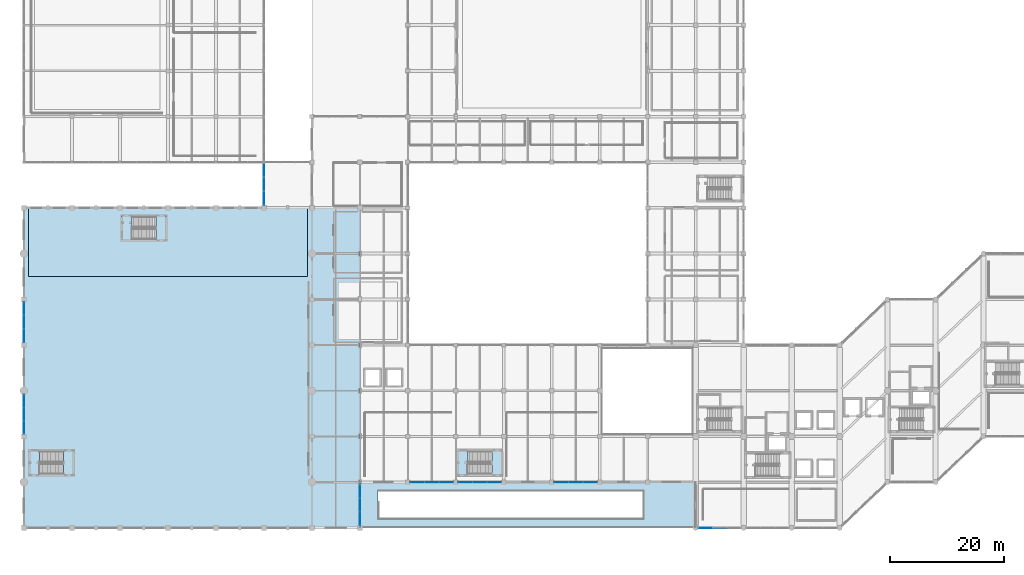
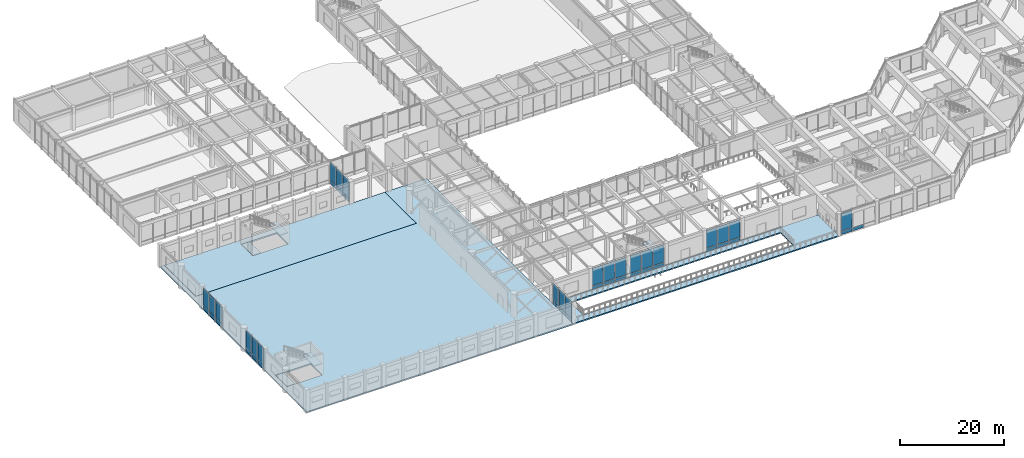
# One storey, part 48 of 79: 45 plates, 9 slabs, 11 elements without a shape of their own.
"""IFC4 building model written with IfcOpenShell, lengths in metres."""

from ifc_helpers import new_model, si_unit, direction, frame, origin, origin_2d, place, context, subcontext, project, spatial, polyline, rectangle, outline, extrude, material, layer, layer_set, type_object, element, aggregate, save


model = new_model("IFC4")

# Units and contexts
model_context = context("Model", 3, precision=1e-05, world=origin(), true_north=direction((0.0, 1.0)))
body_context = subcontext(model_context, "Body", "Model", "MODEL_VIEW")
ifc_project = project(units=[si_unit("LENGTHUNIT", "METRE"), si_unit("AREAUNIT", "SQUARE_METRE"), si_unit("VOLUMEUNIT", "CUBIC_METRE"), si_unit("PLANEANGLEUNIT", "RADIAN"), si_unit("MASSUNIT", "GRAM", prefix="KILO")], contexts=[model_context])

# Site, building, storey
site_placement = place(None, origin())
site = spatial("IfcSite", under=ifc_project, at=site_placement, CompositionType="ELEMENT")
building_placement = place(site_placement, origin())
building = spatial("IfcBuilding", under=site, at=building_placement, Name="Naruveol Harbour Congress Hotel", CompositionType="ELEMENT")
storey_placement = place(building_placement, frame((0.0, 0.0, 6.0)))
storey = spatial("IfcBuildingStorey", under=building, at=storey_placement, Name="L01", CompositionType="ELEMENT", Elevation=6.0)

# Curtain wall, plates
ifc_material_1 = material(Name="Low-E Curtain Wall System", Category="glass")
ifc_layer_1 = layer(ifc_material_1, 0.179931640625)
ifc_layer_set_1 = layer_set([ifc_layer_1], Name="Low-E Curtain Wall System")
curtain_wall_type_1 = type_object("IfcCurtainWallType", Name="UNITISED CURTAIN WALL CW-V1W-01 6850X5050", PredefinedType="USERDEFINED", material=ifc_layer_set_1)
curtain_wall_1_placement = place(storey_placement, origin())
curtain_wall_1 = element("IfcCurtainWall", 1, at=curtain_wall_1_placement, inside=storey, type_object=curtain_wall_type_1, Name="Unitised curtain wall CW-V1W-01 L01", ObjectType="UNITISED GLAZING", PredefinedType="USERDEFINED")
ifc_material_2 = material(Name="Anodised Aluminium Spandrel", Category="aluminium")
ifc_layer_2 = layer(ifc_material_2, 0.054931640625)
ifc_layer_set_2 = layer_set([ifc_layer_2], Name="Anodised Aluminium Spandrel")
plate_type_1 = type_object("IfcPlateType", Name="INSULATED CERAMIC SPANDREL PANEL 55", PredefinedType="CURTAIN_PANEL", material=ifc_layer_set_2)
plate_1_placement = place(storey_placement, frame((-0.010009765625, 17.591796875, 0.0400390625), z_axis=(0.0, 0.0, 1.0), x_axis=(0.0, 1.0, 0.0)))
plate_1 = element("IfcPlate", 2, at=plate_1_placement, type_object=plate_type_1, Name="Curtain wall spandrel panel CW-L01-0001-PS0", PredefinedType="CURTAIN_PANEL", context=body_context, shape_type="SweptSolid", body=[
    extrude(rectangle(XDim=2.202880859375, YDim=0.054931640625, at=origin_2d()), origin(), (0.0, 0.0, 1.0), 0.77001953125),
])
plate_2_placement = place(storey_placement, frame((-0.010009765625, 19.875, 0.0400390625), z_axis=(0.0, 0.0, 1.0), x_axis=(0.0, 1.0, 0.0)))
plate_2 = element("IfcPlate", 3, at=plate_2_placement, type_object=plate_type_1, Name="Curtain wall spandrel panel CW-L01-0001-PS1", PredefinedType="CURTAIN_PANEL", context=body_context, shape_type="SweptSolid", body=[
    extrude(rectangle(XDim=2.202880859375, YDim=0.054931640625, at=origin_2d()), origin(), (0.0, 0.0, 1.0), 0.77001953125),
])
plate_3_placement = place(storey_placement, frame((-0.010009765625, 22.158203125, 0.0400390625), z_axis=(0.0, 0.0, 1.0), x_axis=(0.0, 1.0, 0.0)))
plate_3 = element("IfcPlate", 4, at=plate_3_placement, type_object=plate_type_1, Name="Curtain wall spandrel panel CW-L01-0001-PS2", PredefinedType="CURTAIN_PANEL", context=body_context, shape_type="SweptSolid", body=[
    extrude(rectangle(XDim=2.202880859375, YDim=0.054931640625, at=origin_2d()), origin(), (0.0, 0.0, 1.0), 0.77001953125),
])

ifc_material_3 = material(Name="Low-E Curtain Wall System", Category="glass")
ifc_layer_3 = layer(ifc_material_3, 0.179931640625)
ifc_layer_set_3 = layer_set([ifc_layer_3], Name="Low-E Curtain Wall System")
curtain_wall_type_2 = type_object("IfcCurtainWallType", Name="UNITISED CURTAIN WALL CW-V1W-02 7100X5050", PredefinedType="USERDEFINED", material=ifc_layer_set_3)
curtain_wall_2_placement = place(storey_placement, origin())
curtain_wall_2 = element("IfcCurtainWall", 5, at=curtain_wall_2_placement, inside=storey, type_object=curtain_wall_type_2, Name="Unitised curtain wall CW-V1W-02 L01", ObjectType="UNITISED GLAZING", PredefinedType="USERDEFINED")
plate_4_placement = place(storey_placement, frame((-0.010009765625, 33.63330078125, 0.0400390625), z_axis=(0.0, 0.0, 1.0), x_axis=(0.0, 1.0, 0.0)))
plate_4 = element("IfcPlate", 6, at=plate_4_placement, type_object=plate_type_1, Name="Curtain wall spandrel panel CW-L01-0002-PS0", PredefinedType="CURTAIN_PANEL", context=body_context, shape_type="SweptSolid", body=[
    extrude(rectangle(XDim=2.287109375, YDim=0.054931640625, at=origin_2d()), origin(), (0.0, 0.0, 1.0), 0.77001953125),
])
plate_5_placement = place(storey_placement, frame((-0.010009765625, 36.0, 0.0400390625), z_axis=(0.0, 0.0, 1.0), x_axis=(0.0, 1.0, 0.0)))
plate_5 = element("IfcPlate", 7, at=plate_5_placement, type_object=plate_type_1, Name="Curtain wall spandrel panel CW-L01-0002-PS1", PredefinedType="CURTAIN_PANEL", context=body_context, shape_type="SweptSolid", body=[
    extrude(rectangle(XDim=2.287109375, YDim=0.054931640625, at=origin_2d()), origin(), (0.0, 0.0, 1.0), 0.77001953125),
])
plate_6_placement = place(storey_placement, frame((-0.010009765625, 38.36669921875, 0.0400390625), z_axis=(0.0, 0.0, 1.0), x_axis=(0.0, 1.0, 0.0)))
plate_6 = element("IfcPlate", 8, at=plate_6_placement, type_object=plate_type_1, Name="Curtain wall spandrel panel CW-L01-0002-PS2", PredefinedType="CURTAIN_PANEL", context=body_context, shape_type="SweptSolid", body=[
    extrude(rectangle(XDim=2.287109375, YDim=0.054931640625, at=origin_2d()), origin(), (0.0, 0.0, 1.0), 0.77001953125),
])

ifc_material_4 = material(Name="Low-E Curtain Wall System", Category="glass")
ifc_layer_4 = layer(ifc_material_4, 0.179931640625)
ifc_layer_set_4 = layer_set([ifc_layer_4], Name="Low-E Curtain Wall System")
curtain_wall_type_3 = type_object("IfcCurtainWallType", Name="UNITISED CURTAIN WALL CW-V1F-03 7100X5050", PredefinedType="USERDEFINED", material=ifc_layer_set_4)
curtain_wall_3_placement = place(storey_placement, origin())
curtain_wall_3 = element("IfcCurtainWall", 9, at=curtain_wall_3_placement, inside=storey, type_object=curtain_wall_type_3, Name="Unitised curtain wall CW-V1F-03 L01", ObjectType="UNITISED GLAZING", PredefinedType="USERDEFINED")
plate_7_placement = place(storey_placement, frame((58.81005859375, 6.36669921875, 0.0400390625), z_axis=(0.0, 0.0, 1.0), x_axis=(0.0, -1.0, 0.0)))
plate_7 = element("IfcPlate", 10, at=plate_7_placement, type_object=plate_type_1, Name="Curtain wall spandrel panel CW-L01-0003-PS0", PredefinedType="CURTAIN_PANEL", context=body_context, shape_type="SweptSolid", body=[
    extrude(rectangle(XDim=2.287109375, YDim=0.054931640625, at=origin_2d()), origin(), (0.0, 0.0, 1.0), 0.77001953125),
])
plate_8_placement = place(storey_placement, frame((58.81005859375, 4.0, 0.0400390625), z_axis=(0.0, 0.0, 1.0), x_axis=(0.0, -1.0, 0.0)))
plate_8 = element("IfcPlate", 11, at=plate_8_placement, type_object=plate_type_1, Name="Curtain wall spandrel panel CW-L01-0003-PS1", PredefinedType="CURTAIN_PANEL", context=body_context, shape_type="SweptSolid", body=[
    extrude(rectangle(XDim=2.287109375, YDim=0.054931640625, at=origin_2d()), origin(), (0.0, 0.0, 1.0), 0.77001953125),
])
plate_9_placement = place(storey_placement, frame((58.81005859375, 1.63330078125, 0.0400390625), z_axis=(0.0, 0.0, 1.0), x_axis=(0.0, -1.0, 0.0)))
plate_9 = element("IfcPlate", 12, at=plate_9_placement, type_object=plate_type_1, Name="Curtain wall spandrel panel CW-L01-0003-PS2", PredefinedType="CURTAIN_PANEL", context=body_context, shape_type="SweptSolid", body=[
    extrude(rectangle(XDim=2.287109375, YDim=0.054931640625, at=origin_2d()), origin(), (0.0, 0.0, 1.0), 0.77001953125),
])

ifc_material_5 = material(Name="Low-E Curtain Wall System", Category="glass")
ifc_layer_5 = layer(ifc_material_5, 0.179931640625)
ifc_layer_set_5 = layer_set([ifc_layer_5], Name="Low-E Curtain Wall System")
curtain_wall_type_4 = type_object("IfcCurtainWallType", Name="UNITISED CURTAIN WALL CW-SPLW-11 7375X5100", PredefinedType="USERDEFINED", material=ifc_layer_set_5)
curtain_wall_4_placement = place(storey_placement, origin())
curtain_wall_4 = element("IfcCurtainWall", 13, at=curtain_wall_4_placement, inside=storey, type_object=curtain_wall_type_4, Name="Unitised curtain wall CW-SPLW-11 L01", ObjectType="UNITISED GLAZING", PredefinedType="USERDEFINED")
plate_10_placement = place(storey_placement, frame((41.989990234375, 57.67919921875, 0.0400390625), z_axis=(0.0, 0.0, 1.0), x_axis=(0.0, 1.0, 0.0)))
plate_10 = element("IfcPlate", 14, at=plate_10_placement, type_object=plate_type_1, Name="Curtain wall spandrel panel CW-L01-0012-PS0", PredefinedType="CURTAIN_PANEL", context=body_context, shape_type="SweptSolid", body=[
    extrude(rectangle(XDim=2.3779296875, YDim=0.054931640625, at=origin_2d()), origin(), (0.0, 0.0, 1.0), 0.77001953125),
])
plate_11_placement = place(storey_placement, frame((41.989990234375, 60.137451171875, 0.0400390625), z_axis=(0.0, 0.0, 1.0), x_axis=(0.0, 1.0, 0.0)))
plate_11 = element("IfcPlate", 15, at=plate_11_placement, type_object=plate_type_1, Name="Curtain wall spandrel panel CW-L01-0012-PS1", PredefinedType="CURTAIN_PANEL", context=body_context, shape_type="SweptSolid", body=[
    extrude(rectangle(XDim=2.3779296875, YDim=0.054931640625, at=origin_2d()), origin(), (0.0, 0.0, 1.0), 0.77001953125),
])
plate_12_placement = place(storey_placement, frame((41.989990234375, 62.595703125, 0.0400390625), z_axis=(0.0, 0.0, 1.0), x_axis=(0.0, 1.0, 0.0)))
plate_12 = element("IfcPlate", 16, at=plate_12_placement, type_object=plate_type_1, Name="Curtain wall spandrel panel CW-L01-0012-PS2", PredefinedType="CURTAIN_PANEL", context=body_context, shape_type="SweptSolid", body=[
    extrude(rectangle(XDim=2.3779296875, YDim=0.054931640625, at=origin_2d()), origin(), (0.0, 0.0, 1.0), 0.77001953125),
])

ifc_material_6 = material(Name="Low-E Curtain Wall System", Category="glass")
ifc_layer_6 = layer(ifc_material_6, 0.179931640625)
ifc_layer_set_6 = layer_set([ifc_layer_6], Name="Low-E Curtain Wall System")
curtain_wall_type_5 = type_object("IfcCurtainWallType", Name="UNITISED CURTAIN WALL CW-V4S-30 7650X5100", PredefinedType="USERDEFINED", material=ifc_layer_set_6)
curtain_wall_5_placement = place(storey_placement, origin())
curtain_wall_5 = element("IfcCurtainWall", 17, at=curtain_wall_5_placement, inside=storey, type_object=curtain_wall_type_5, Name="Unitised curtain wall CW-V4S-30 L01", ObjectType="UNITISED GLAZING", PredefinedType="USERDEFINED")
plate_13_placement = place(storey_placement, frame((99.14990234375, 7.989990234375, 0.0400390625), z_axis=(0.0, 0.0, 1.0), x_axis=(-1.0, 0.0, 0.0)))
plate_13 = element("IfcPlate", 18, at=plate_13_placement, type_object=plate_type_1, Name="Curtain wall spandrel panel CW-L01-0071-PS0", PredefinedType="CURTAIN_PANEL", context=body_context, shape_type="SweptSolid", body=[
    extrude(rectangle(XDim=2.469970703125, YDim=0.054931640625, at=origin_2d()), origin(), (0.0, 0.0, 1.0), 0.77001953125),
])
plate_14_placement = place(storey_placement, frame((96.60009765625, 7.989990234375, 0.0400390625), z_axis=(0.0, 0.0, 1.0), x_axis=(-1.0, 0.0, 0.0)))
plate_14 = element("IfcPlate", 19, at=plate_14_placement, type_object=plate_type_1, Name="Curtain wall spandrel panel CW-L01-0071-PS1", PredefinedType="CURTAIN_PANEL", context=body_context, shape_type="SweptSolid", body=[
    extrude(rectangle(XDim=2.469970703125, YDim=0.054931640625, at=origin_2d()), origin(), (0.0, 0.0, 1.0), 0.77001953125),
])
plate_15_placement = place(storey_placement, frame((94.050048828125, 7.989990234375, 0.0400390625), z_axis=(0.0, 0.0, 1.0), x_axis=(-1.0, 0.0, 0.0)))
plate_15 = element("IfcPlate", 20, at=plate_15_placement, type_object=plate_type_1, Name="Curtain wall spandrel panel CW-L01-0071-PS2", PredefinedType="CURTAIN_PANEL", context=body_context, shape_type="SweptSolid", body=[
    extrude(rectangle(XDim=2.469970703125, YDim=0.054931640625, at=origin_2d()), origin(), (0.0, 0.0, 1.0), 0.77001953125),
])

curtain_wall_6_placement = place(storey_placement, origin())
curtain_wall_6 = element("IfcCurtainWall", 21, at=curtain_wall_6_placement, inside=storey, type_object=curtain_wall_type_5, Name="Unitised curtain wall CW-V4S-30 L01", ObjectType="UNITISED GLAZING", PredefinedType="USERDEFINED")
plate_16_placement = place(storey_placement, frame((82.35009765625, 7.989990234375, 0.0400390625), z_axis=(0.0, 0.0, 1.0), x_axis=(-1.0, 0.0, 0.0)))
plate_16 = element("IfcPlate", 22, at=plate_16_placement, type_object=plate_type_1, Name="Curtain wall spandrel panel CW-L01-0072-PS0", PredefinedType="CURTAIN_PANEL", context=body_context, shape_type="SweptSolid", body=[
    extrude(rectangle(XDim=2.469970703125, YDim=0.054931640625, at=origin_2d()), origin(), (0.0, 0.0, 1.0), 0.77001953125),
])
plate_17_placement = place(storey_placement, frame((79.800048828125, 7.989990234375, 0.0400390625), z_axis=(0.0, 0.0, 1.0), x_axis=(-1.0, 0.0, 0.0)))
plate_17 = element("IfcPlate", 23, at=plate_17_placement, type_object=plate_type_1, Name="Curtain wall spandrel panel CW-L01-0072-PS1", PredefinedType="CURTAIN_PANEL", context=body_context, shape_type="SweptSolid", body=[
    extrude(rectangle(XDim=2.469970703125, YDim=0.054931640625, at=origin_2d()), origin(), (0.0, 0.0, 1.0), 0.77001953125),
])
plate_18_placement = place(storey_placement, frame((77.25, 7.989990234375, 0.0400390625), z_axis=(0.0, 0.0, 1.0), x_axis=(-1.0, 0.0, 0.0)))
plate_18 = element("IfcPlate", 24, at=plate_18_placement, type_object=plate_type_1, Name="Curtain wall spandrel panel CW-L01-0072-PS2", PredefinedType="CURTAIN_PANEL", context=body_context, shape_type="SweptSolid", body=[
    extrude(rectangle(XDim=2.469970703125, YDim=0.054931640625, at=origin_2d()), origin(), (0.0, 0.0, 1.0), 0.77001953125),
])

curtain_wall_7_placement = place(storey_placement, origin())
curtain_wall_7 = element("IfcCurtainWall", 25, at=curtain_wall_7_placement, inside=storey, type_object=curtain_wall_type_5, Name="Unitised curtain wall CW-V4S-30 L01", ObjectType="UNITISED GLAZING", PredefinedType="USERDEFINED")
plate_19_placement = place(storey_placement, frame((73.949951171875, 7.989990234375, 0.0400390625), z_axis=(0.0, 0.0, 1.0), x_axis=(-1.0, 0.0, 0.0)))
plate_19 = element("IfcPlate", 26, at=plate_19_placement, type_object=plate_type_1, Name="Curtain wall spandrel panel CW-L01-0073-PS0", PredefinedType="CURTAIN_PANEL", context=body_context, shape_type="SweptSolid", body=[
    extrude(rectangle(XDim=2.469970703125, YDim=0.054931640625, at=origin_2d()), origin(), (0.0, 0.0, 1.0), 0.77001953125),
])
plate_20_placement = place(storey_placement, frame((71.39990234375, 7.989990234375, 0.0400390625), z_axis=(0.0, 0.0, 1.0), x_axis=(-1.0, 0.0, 0.0)))
plate_20 = element("IfcPlate", 27, at=plate_20_placement, type_object=plate_type_1, Name="Curtain wall spandrel panel CW-L01-0073-PS1", PredefinedType="CURTAIN_PANEL", context=body_context, shape_type="SweptSolid", body=[
    extrude(rectangle(XDim=2.469970703125, YDim=0.054931640625, at=origin_2d()), origin(), (0.0, 0.0, 1.0), 0.77001953125),
])
plate_21_placement = place(storey_placement, frame((68.85009765625, 7.989990234375, 0.0400390625), z_axis=(0.0, 0.0, 1.0), x_axis=(-1.0, 0.0, 0.0)))
plate_21 = element("IfcPlate", 28, at=plate_21_placement, type_object=plate_type_1, Name="Curtain wall spandrel panel CW-L01-0073-PS2", PredefinedType="CURTAIN_PANEL", context=body_context, shape_type="SweptSolid", body=[
    extrude(rectangle(XDim=2.469970703125, YDim=0.054931640625, at=origin_2d()), origin(), (0.0, 0.0, 1.0), 0.77001953125),
])

ifc_material_7 = material(Name="Low-E Curtain Wall System", Category="glass")
ifc_layer_7 = layer(ifc_material_7, 0.179931640625)
ifc_layer_set_7 = layer_set([ifc_layer_7], Name="Low-E Curtain Wall System")
curtain_wall_type_6 = type_object("IfcCurtainWallType", Name="UNITISED CURTAIN WALL CW-V5S-50 7500X5120", PredefinedType="USERDEFINED", material=ifc_layer_set_7)
curtain_wall_8_placement = place(storey_placement, origin())
curtain_wall_8 = element("IfcCurtainWall", 29, at=curtain_wall_8_placement, inside=storey, type_object=curtain_wall_type_6, Name="Unitised curtain wall CW-V5S-50 L01", ObjectType="UNITISED GLAZING", PredefinedType="USERDEFINED")
plate_22_placement = place(storey_placement, frame((121.800048828125, -0.010009765625, 0.0400390625), z_axis=(0.0, 0.0, 1.0), x_axis=(-1.0, 0.0, 0.0)))
plate_22 = element("IfcPlate", 30, at=plate_22_placement, type_object=plate_type_1, Name="Curtain wall spandrel panel CW-L01-0136-PS1", PredefinedType="CURTAIN_PANEL", context=body_context, shape_type="SweptSolid", body=[
    extrude(rectangle(XDim=2.419921875, YDim=0.054931640625, at=origin_2d()), origin(), (0.0, 0.0, 1.0), 0.77001953125),
])
plate_23_placement = place(storey_placement, frame((119.300048828125, -0.010009765625, 0.0400390625), z_axis=(0.0, 0.0, 1.0), x_axis=(-1.0, 0.0, 0.0)))
plate_23 = element("IfcPlate", 31, at=plate_23_placement, type_object=plate_type_1, Name="Curtain wall spandrel panel CW-L01-0136-PS2", PredefinedType="CURTAIN_PANEL", context=body_context, shape_type="SweptSolid", body=[
    extrude(rectangle(XDim=2.419921875, YDim=0.054931640625, at=origin_2d()), origin(), (0.0, 0.0, 1.0), 0.77001953125),
])

# Plate
ifc_material_8 = material(Name="Low-E Insulated Glass", Category="glass")
ifc_layer_8 = layer(ifc_material_8, 0.0419921875)
ifc_layer_set_8 = layer_set([ifc_layer_8], Name="Low-E Insulated Glass")
plate_type_2 = type_object("IfcPlateType", Name="LOW-E TRIPLE GLAZED CURTAIN PANEL 42", PredefinedType="CURTAIN_PANEL", material=ifc_layer_set_8)
plate_24_placement = place(storey_placement, frame((-0.010009765625, 17.591796875, 0.889892578125), z_axis=(0.0, 0.0, 1.0), x_axis=(0.0, 1.0, 0.0)))
plate_24 = element("IfcPlate", 32, at=plate_24_placement, type_object=plate_type_2, Name="Curtain wall vision panel CW-L01-0001-PG0", PredefinedType="CURTAIN_PANEL", context=body_context, shape_type="SweptSolid", body=[
    extrude(rectangle(XDim=2.202880859375, YDim=0.0419921875, at=origin_2d()), origin(), (0.0, 0.0, 1.0), 4.0400390625),
])

plate_25_placement = place(storey_placement, frame((-0.010009765625, 19.875, 0.889892578125), z_axis=(0.0, 0.0, 1.0), x_axis=(0.0, 1.0, 0.0)))
plate_25 = element("IfcPlate", 33, at=plate_25_placement, type_object=plate_type_2, Name="Curtain wall vision panel CW-L01-0001-PG1", PredefinedType="CURTAIN_PANEL", context=body_context, shape_type="SweptSolid", body=[
    extrude(rectangle(XDim=2.202880859375, YDim=0.0419921875, at=origin_2d()), origin(), (0.0, 0.0, 1.0), 4.0400390625),
])

plate_26_placement = place(storey_placement, frame((-0.010009765625, 22.158203125, 0.889892578125), z_axis=(0.0, 0.0, 1.0), x_axis=(0.0, 1.0, 0.0)))
plate_26 = element("IfcPlate", 34, at=plate_26_placement, type_object=plate_type_2, Name="Curtain wall vision panel CW-L01-0001-PG2", PredefinedType="CURTAIN_PANEL", context=body_context, shape_type="SweptSolid", body=[
    extrude(rectangle(XDim=2.202880859375, YDim=0.0419921875, at=origin_2d()), origin(), (0.0, 0.0, 1.0), 4.0400390625),
])

aggregate(curtain_wall_1, [plate_1, plate_24, plate_2, plate_25, plate_3, plate_26])

plate_27_placement = place(storey_placement, frame((-0.010009765625, 33.63330078125, 0.889892578125), z_axis=(0.0, 0.0, 1.0), x_axis=(0.0, 1.0, 0.0)))
plate_27 = element("IfcPlate", 35, at=plate_27_placement, type_object=plate_type_2, Name="Curtain wall vision panel CW-L01-0002-PG0", PredefinedType="CURTAIN_PANEL", context=body_context, shape_type="SweptSolid", body=[
    extrude(rectangle(XDim=2.287109375, YDim=0.0419921875, at=origin_2d()), origin(), (0.0, 0.0, 1.0), 4.0400390625),
])

plate_28_placement = place(storey_placement, frame((-0.010009765625, 36.0, 0.889892578125), z_axis=(0.0, 0.0, 1.0), x_axis=(0.0, 1.0, 0.0)))
plate_28 = element("IfcPlate", 36, at=plate_28_placement, type_object=plate_type_2, Name="Curtain wall vision panel CW-L01-0002-PG1", PredefinedType="CURTAIN_PANEL", context=body_context, shape_type="SweptSolid", body=[
    extrude(rectangle(XDim=2.287109375, YDim=0.0419921875, at=origin_2d()), origin(), (0.0, 0.0, 1.0), 4.0400390625),
])

plate_29_placement = place(storey_placement, frame((-0.010009765625, 38.36669921875, 0.889892578125), z_axis=(0.0, 0.0, 1.0), x_axis=(0.0, 1.0, 0.0)))
plate_29 = element("IfcPlate", 37, at=plate_29_placement, type_object=plate_type_2, Name="Curtain wall vision panel CW-L01-0002-PG2", PredefinedType="CURTAIN_PANEL", context=body_context, shape_type="SweptSolid", body=[
    extrude(rectangle(XDim=2.287109375, YDim=0.0419921875, at=origin_2d()), origin(), (0.0, 0.0, 1.0), 4.0400390625),
])

aggregate(curtain_wall_2, [plate_4, plate_27, plate_5, plate_28, plate_6, plate_29])

plate_30_placement = place(storey_placement, frame((58.81005859375, 6.36669921875, 0.889892578125), z_axis=(0.0, 0.0, 1.0), x_axis=(0.0, -1.0, 0.0)))
plate_30 = element("IfcPlate", 38, at=plate_30_placement, type_object=plate_type_2, Name="Curtain wall vision panel CW-L01-0003-PG0", PredefinedType="CURTAIN_PANEL", context=body_context, shape_type="SweptSolid", body=[
    extrude(rectangle(XDim=2.287109375, YDim=0.0419921875, at=origin_2d()), origin(), (0.0, 0.0, 1.0), 4.0400390625),
])

plate_31_placement = place(storey_placement, frame((58.81005859375, 4.0, 0.889892578125), z_axis=(0.0, 0.0, 1.0), x_axis=(0.0, -1.0, 0.0)))
plate_31 = element("IfcPlate", 39, at=plate_31_placement, type_object=plate_type_2, Name="Curtain wall vision panel CW-L01-0003-PG1", PredefinedType="CURTAIN_PANEL", context=body_context, shape_type="SweptSolid", body=[
    extrude(rectangle(XDim=2.287109375, YDim=0.0419921875, at=origin_2d()), origin(), (0.0, 0.0, 1.0), 4.0400390625),
])

plate_32_placement = place(storey_placement, frame((58.81005859375, 1.63330078125, 0.889892578125), z_axis=(0.0, 0.0, 1.0), x_axis=(0.0, -1.0, 0.0)))
plate_32 = element("IfcPlate", 40, at=plate_32_placement, type_object=plate_type_2, Name="Curtain wall vision panel CW-L01-0003-PG2", PredefinedType="CURTAIN_PANEL", context=body_context, shape_type="SweptSolid", body=[
    extrude(rectangle(XDim=2.287109375, YDim=0.0419921875, at=origin_2d()), origin(), (0.0, 0.0, 1.0), 4.0400390625),
])

aggregate(curtain_wall_3, [plate_7, plate_30, plate_8, plate_31, plate_9, plate_32])

plate_33_placement = place(storey_placement, frame((41.989990234375, 57.67919921875, 0.89013671875), z_axis=(0.0, 0.0, 1.0), x_axis=(0.0, 1.0, 0.0)))
plate_33 = element("IfcPlate", 41, at=plate_33_placement, type_object=plate_type_2, Name="Curtain wall vision panel CW-L01-0012-PG0", PredefinedType="CURTAIN_PANEL", context=body_context, shape_type="SweptSolid", body=[
    extrude(rectangle(XDim=2.3779296875, YDim=0.0419921875, at=origin_2d()), origin(), (0.0, 0.0, 1.0), 4.090087890625),
])

plate_34_placement = place(storey_placement, frame((41.989990234375, 60.137451171875, 0.89013671875), z_axis=(0.0, 0.0, 1.0), x_axis=(0.0, 1.0, 0.0)))
plate_34 = element("IfcPlate", 42, at=plate_34_placement, type_object=plate_type_2, Name="Curtain wall vision panel CW-L01-0012-PG1", PredefinedType="CURTAIN_PANEL", context=body_context, shape_type="SweptSolid", body=[
    extrude(rectangle(XDim=2.3779296875, YDim=0.0419921875, at=origin_2d()), origin(), (0.0, 0.0, 1.0), 4.090087890625),
])

plate_35_placement = place(storey_placement, frame((41.989990234375, 62.595703125, 0.89013671875), z_axis=(0.0, 0.0, 1.0), x_axis=(0.0, 1.0, 0.0)))
plate_35 = element("IfcPlate", 43, at=plate_35_placement, type_object=plate_type_2, Name="Curtain wall vision panel CW-L01-0012-PG2", PredefinedType="CURTAIN_PANEL", context=body_context, shape_type="SweptSolid", body=[
    extrude(rectangle(XDim=2.3779296875, YDim=0.0419921875, at=origin_2d()), origin(), (0.0, 0.0, 1.0), 4.090087890625),
])

aggregate(curtain_wall_4, [plate_10, plate_33, plate_11, plate_34, plate_12, plate_35])

plate_36_placement = place(storey_placement, frame((99.14990234375, 7.989990234375, 0.89013671875), z_axis=(0.0, 0.0, 1.0), x_axis=(-1.0, 0.0, 0.0)))
plate_36 = element("IfcPlate", 44, at=plate_36_placement, type_object=plate_type_2, Name="Curtain wall vision panel CW-L01-0071-PG0", PredefinedType="CURTAIN_PANEL", context=body_context, shape_type="SweptSolid", body=[
    extrude(rectangle(XDim=2.469970703125, YDim=0.0419921875, at=origin_2d()), origin(), (0.0, 0.0, 1.0), 4.090087890625),
])

plate_37_placement = place(storey_placement, frame((96.60009765625, 7.989990234375, 0.89013671875), z_axis=(0.0, 0.0, 1.0), x_axis=(-1.0, 0.0, 0.0)))
plate_37 = element("IfcPlate", 45, at=plate_37_placement, type_object=plate_type_2, Name="Curtain wall vision panel CW-L01-0071-PG1", PredefinedType="CURTAIN_PANEL", context=body_context, shape_type="SweptSolid", body=[
    extrude(rectangle(XDim=2.469970703125, YDim=0.0419921875, at=origin_2d()), origin(), (0.0, 0.0, 1.0), 4.090087890625),
])

plate_38_placement = place(storey_placement, frame((94.050048828125, 7.989990234375, 0.89013671875), z_axis=(0.0, 0.0, 1.0), x_axis=(-1.0, 0.0, 0.0)))
plate_38 = element("IfcPlate", 46, at=plate_38_placement, type_object=plate_type_2, Name="Curtain wall vision panel CW-L01-0071-PG2", PredefinedType="CURTAIN_PANEL", context=body_context, shape_type="SweptSolid", body=[
    extrude(rectangle(XDim=2.469970703125, YDim=0.0419921875, at=origin_2d()), origin(), (0.0, 0.0, 1.0), 4.090087890625),
])

aggregate(curtain_wall_5, [plate_13, plate_36, plate_14, plate_37, plate_15, plate_38])

plate_39_placement = place(storey_placement, frame((82.35009765625, 7.989990234375, 0.89013671875), z_axis=(0.0, 0.0, 1.0), x_axis=(-1.0, 0.0, 0.0)))
plate_39 = element("IfcPlate", 47, at=plate_39_placement, type_object=plate_type_2, Name="Curtain wall vision panel CW-L01-0072-PG0", PredefinedType="CURTAIN_PANEL", context=body_context, shape_type="SweptSolid", body=[
    extrude(rectangle(XDim=2.469970703125, YDim=0.0419921875, at=origin_2d()), origin(), (0.0, 0.0, 1.0), 4.090087890625),
])

plate_40_placement = place(storey_placement, frame((79.800048828125, 7.989990234375, 0.89013671875), z_axis=(0.0, 0.0, 1.0), x_axis=(-1.0, 0.0, 0.0)))
plate_40 = element("IfcPlate", 48, at=plate_40_placement, type_object=plate_type_2, Name="Curtain wall vision panel CW-L01-0072-PG1", PredefinedType="CURTAIN_PANEL", context=body_context, shape_type="SweptSolid", body=[
    extrude(rectangle(XDim=2.469970703125, YDim=0.0419921875, at=origin_2d()), origin(), (0.0, 0.0, 1.0), 4.090087890625),
])

plate_41_placement = place(storey_placement, frame((77.25, 7.989990234375, 0.89013671875), z_axis=(0.0, 0.0, 1.0), x_axis=(-1.0, 0.0, 0.0)))
plate_41 = element("IfcPlate", 49, at=plate_41_placement, type_object=plate_type_2, Name="Curtain wall vision panel CW-L01-0072-PG2", PredefinedType="CURTAIN_PANEL", context=body_context, shape_type="SweptSolid", body=[
    extrude(rectangle(XDim=2.469970703125, YDim=0.0419921875, at=origin_2d()), origin(), (0.0, 0.0, 1.0), 4.090087890625),
])

aggregate(curtain_wall_6, [plate_16, plate_39, plate_17, plate_40, plate_18, plate_41])

plate_42_placement = place(storey_placement, frame((73.949951171875, 7.989990234375, 0.89013671875), z_axis=(0.0, 0.0, 1.0), x_axis=(-1.0, 0.0, 0.0)))
plate_42 = element("IfcPlate", 50, at=plate_42_placement, type_object=plate_type_2, Name="Curtain wall vision panel CW-L01-0073-PG0", PredefinedType="CURTAIN_PANEL", context=body_context, shape_type="SweptSolid", body=[
    extrude(rectangle(XDim=2.469970703125, YDim=0.0419921875, at=origin_2d()), origin(), (0.0, 0.0, 1.0), 4.090087890625),
])

plate_43_placement = place(storey_placement, frame((71.39990234375, 7.989990234375, 0.89013671875), z_axis=(0.0, 0.0, 1.0), x_axis=(-1.0, 0.0, 0.0)))
plate_43 = element("IfcPlate", 51, at=plate_43_placement, type_object=plate_type_2, Name="Curtain wall vision panel CW-L01-0073-PG1", PredefinedType="CURTAIN_PANEL", context=body_context, shape_type="SweptSolid", body=[
    extrude(rectangle(XDim=2.469970703125, YDim=0.0419921875, at=origin_2d()), origin(), (0.0, 0.0, 1.0), 4.090087890625),
])

plate_44_placement = place(storey_placement, frame((68.85009765625, 7.989990234375, 0.89013671875), z_axis=(0.0, 0.0, 1.0), x_axis=(-1.0, 0.0, 0.0)))
plate_44 = element("IfcPlate", 52, at=plate_44_placement, type_object=plate_type_2, Name="Curtain wall vision panel CW-L01-0073-PG2", PredefinedType="CURTAIN_PANEL", context=body_context, shape_type="SweptSolid", body=[
    extrude(rectangle(XDim=2.469970703125, YDim=0.0419921875, at=origin_2d()), origin(), (0.0, 0.0, 1.0), 4.090087890625),
])

aggregate(curtain_wall_7, [plate_19, plate_42, plate_20, plate_43, plate_21, plate_44])

plate_45_placement = place(storey_placement, frame((119.300048828125, -0.010009765625, 0.89013671875), z_axis=(0.0, 0.0, 1.0), x_axis=(-1.0, 0.0, 0.0)))
plate_45 = element("IfcPlate", 53, at=plate_45_placement, type_object=plate_type_2, Name="Curtain wall vision panel CW-L01-0136-PG2", PredefinedType="CURTAIN_PANEL", context=body_context, shape_type="SweptSolid", body=[
    extrude(rectangle(XDim=2.419921875, YDim=0.0419921875, at=origin_2d()), origin(), (0.0, 0.0, 1.0), 4.110107421875),
])

aggregate(curtain_wall_8, [plate_22, plate_23, plate_45])

# Slabs
ifc_material_9 = material(Name="Concrete C40/50", Category="concrete")
ifc_layer_9 = layer(ifc_material_9, 0.320068359375)
ifc_layer_set_9 = layer_set([ifc_layer_9], Name="Concrete C40/50")
slab_type_1 = type_object("IfcSlabType", Name="RC ACOUSTIC STAGE PLINTH SLAB 320", PredefinedType="FLOOR", material=ifc_layer_set_9)
slab_1_placement = place(storey_placement, frame((0.0, 0.0, -0.320068359375)))
element("IfcSlab", 54, at=slab_1_placement, inside=storey, type_object=slab_type_1, Name="Level L01 Congress stage acoustic plinth slab", PredefinedType="FLOOR", context=body_context, shape_type="SweptSolid", body=[
    extrude(outline(polyline([(0.800048828125, 44.0), (49.60009765625, 44.0), (49.60009765625, 56.0), (0.800048828125, 56.0), (0.800048828125, 44.0)]), holes=[polyline([(17.10009765625, 50.300048828125), (24.89990234375, 50.300048828125), (24.89990234375, 54.659912109375), (17.10009765625, 54.659912109375), (17.10009765625, 50.300048828125)])]), origin(), (0.0, 0.0, 1.0), 0.320068359375),
])
ifc_material_10 = material(Name="Concrete C40/50", Category="concrete")
ifc_layer_10 = layer(ifc_material_10, 0.300048828125)
ifc_layer_set_10 = layer_set([ifc_layer_10], Name="Concrete C40/50")
slab_type_2 = type_object("IfcSlabType", Name="RC AUDITORIUM AND HALL SLAB 300", PredefinedType="FLOOR", material=ifc_layer_set_10)
slab_2_placement = place(storey_placement, frame((0.0, 0.0, -0.300048828125)))
element("IfcSlab", 55, at=slab_2_placement, inside=storey, type_object=slab_type_2, Name="Level L01 Congress auditorium bowl slab", PredefinedType="FLOOR", context=body_context, shape_type="SweptSolid", body=[
    extrude(outline(polyline([(0.0, 0.0), (58.800048828125, 0.0), (58.800048828125, 56.0), (49.60009765625, 56.0), (49.60009765625, 44.0), (0.800048828125, 44.0), (0.800048828125, 56.0), (0.0, 56.0), (0.0, 0.0)]), holes=[polyline([(0.89990234375, 9.199951171875), (8.699951171875, 9.199951171875), (8.699951171875, 13.56005859375), (0.89990234375, 13.56005859375), (0.89990234375, 9.199951171875)])]), origin(), (0.0, 0.0, 1.0), 0.300048828125),
])
ifc_material_11 = material(Name="Concrete C40/50", Category="concrete")
ifc_layer_11 = layer(ifc_material_11, 0.280029296875)
ifc_layer_set_11 = layer_set([ifc_layer_11], Name="Concrete C40/50")
slab_type_3 = type_object("IfcSlabType", Name="RC BALCONY AND PUBLIC DECK SLAB 280", PredefinedType="FLOOR", material=ifc_layer_set_11)
slab_3_placement = place(storey_placement, frame((0.0, 0.0, -0.280029296875)))
element("IfcSlab", 56, at=slab_3_placement, inside=storey, type_object=slab_type_3, Name="Level L01 Harbour Promenade Raised Public Deck", PredefinedType="FLOOR", context=body_context, shape_type="SweptSolid", body=[
    extrude(outline(polyline([(58.800048828125, 0.0), (117.60009765625, 0.0), (117.60009765625, 8.0), (58.800048828125, 8.0), (58.800048828125, 0.0)]), holes=[polyline([(62.0, 1.5), (108.5, 1.5), (108.5, 6.5), (62.0, 6.5), (62.0, 1.5)])]), origin(), (0.0, 0.0, 1.0), 0.280029296875),
])
ifc_material_12 = material(Name="Concrete C40/50", Category="concrete")
ifc_layer_12 = layer(ifc_material_12, 0.179931640625)
ifc_layer_set_12 = layer_set([ifc_layer_12], Name="Concrete C40/50")
slab_type_4 = type_object("IfcSlabType", Name="RC STAIR HALF LANDING SLAB 180", PredefinedType="LANDING", material=ifc_layer_set_12)
slab_4_placement = place(storey_placement, frame((0.0, 0.0, -0.179931640625)))
element("IfcSlab", 57, at=slab_4_placement, inside=storey, type_object=slab_type_4, Name="Stair ST5 L01 floor landing", PredefinedType="LANDING", context=body_context, shape_type="SweptSolid", body=[
    extrude(outline(polyline([(0.89990234375, 9.199951171875), (2.699951171875, 9.199951171875), (2.699951171875, 13.56005859375), (0.89990234375, 13.56005859375), (0.89990234375, 9.199951171875)])), origin(), (0.0, 0.0, 1.0), 0.179931640625),
])

# Stair, slab
ifc_material_13 = material(Name="Concrete C40/50", Category="concrete")
stair_type = type_object("IfcStairType", Name="RC DOG LEG ESCAPE STAIR 1800W H5400", PredefinedType="HALF_TURN_STAIR", material=ifc_material_13)
stair_1_placement = place(storey_placement, origin())
stair_1 = element("IfcStair", 58, at=stair_1_placement, inside=storey, type_object=stair_type, Name="Congress West Exit Stair ST5 L01 to L02", PredefinedType="HALF_TURN_STAIR")
slab_5_placement = place(storey_placement, frame((0.0, 0.0, 2.52001953125)))
slab_5 = element("IfcSlab", 59, at=slab_5_placement, type_object=slab_type_4, Name="ST5 L01 half landing", PredefinedType="LANDING", context=body_context, shape_type="SweptSolid", body=[
    extrude(outline(polyline([(6.89990234375, 9.199951171875), (8.699951171875, 9.199951171875), (8.699951171875, 13.56005859375), (6.89990234375, 13.56005859375), (6.89990234375, 9.199951171875)])), origin(), (0.0, 0.0, 1.0), 0.179931640625),
])
aggregate(stair_1, [slab_5])

# Slab
slab_6_placement = place(storey_placement, frame((0.0, 0.0, -0.179931640625)))
element("IfcSlab", 60, at=slab_6_placement, inside=storey, type_object=slab_type_4, Name="Stair ST6 L01 floor landing", PredefinedType="LANDING", context=body_context, shape_type="SweptSolid", body=[
    extrude(outline(polyline([(17.10009765625, 50.300048828125), (18.89990234375, 50.300048828125), (18.89990234375, 54.659912109375), (17.10009765625, 54.659912109375), (17.10009765625, 50.300048828125)])), origin(), (0.0, 0.0, 1.0), 0.179931640625),
])

# Stair, slab
stair_2_placement = place(storey_placement, origin())
stair_2 = element("IfcStair", 61, at=stair_2_placement, inside=storey, type_object=stair_type, Name="Congress North Exit Stair ST6 L01 to L02", PredefinedType="HALF_TURN_STAIR")
slab_7_placement = place(storey_placement, frame((0.0, 0.0, 2.52001953125)))
slab_7 = element("IfcSlab", 62, at=slab_7_placement, type_object=slab_type_4, Name="ST6 L01 half landing", PredefinedType="LANDING", context=body_context, shape_type="SweptSolid", body=[
    extrude(outline(polyline([(23.10009765625, 50.300048828125), (24.89990234375, 50.300048828125), (24.89990234375, 54.659912109375), (23.10009765625, 54.659912109375), (23.10009765625, 50.300048828125)])), origin(), (0.0, 0.0, 1.0), 0.179931640625),
])
aggregate(stair_2, [slab_7])

# Slab
slab_8_placement = place(storey_placement, frame((0.0, 0.0, -0.179931640625)))
element("IfcSlab", 63, at=slab_8_placement, inside=storey, type_object=slab_type_4, Name="Stair ST10 L01 floor landing", PredefinedType="LANDING", context=body_context, shape_type="SweptSolid", body=[
    extrude(outline(polyline([(75.89990234375, 9.199951171875), (77.699951171875, 9.199951171875), (77.699951171875, 13.56005859375), (75.89990234375, 13.56005859375), (75.89990234375, 9.199951171875)])), origin(), (0.0, 0.0, 1.0), 0.179931640625),
])

# Stair, slab
stair_3_placement = place(storey_placement, origin())
stair_3 = element("IfcStair", 64, at=stair_3_placement, inside=storey, type_object=stair_type, Name="Courtyard South-West Exit Stair ST10 L01 to L02", PredefinedType="HALF_TURN_STAIR")
slab_9_placement = place(storey_placement, frame((0.0, 0.0, 2.52001953125)))
slab_9 = element("IfcSlab", 65, at=slab_9_placement, type_object=slab_type_4, Name="ST10 L01 half landing", PredefinedType="LANDING", context=body_context, shape_type="SweptSolid", body=[
    extrude(outline(polyline([(81.89990234375, 9.199951171875), (83.699951171875, 9.199951171875), (83.699951171875, 13.56005859375), (81.89990234375, 13.56005859375), (81.89990234375, 9.199951171875)])), origin(), (0.0, 0.0, 1.0), 0.179931640625),
])
aggregate(stair_3, [slab_9])

save(model, "model.ifc")
